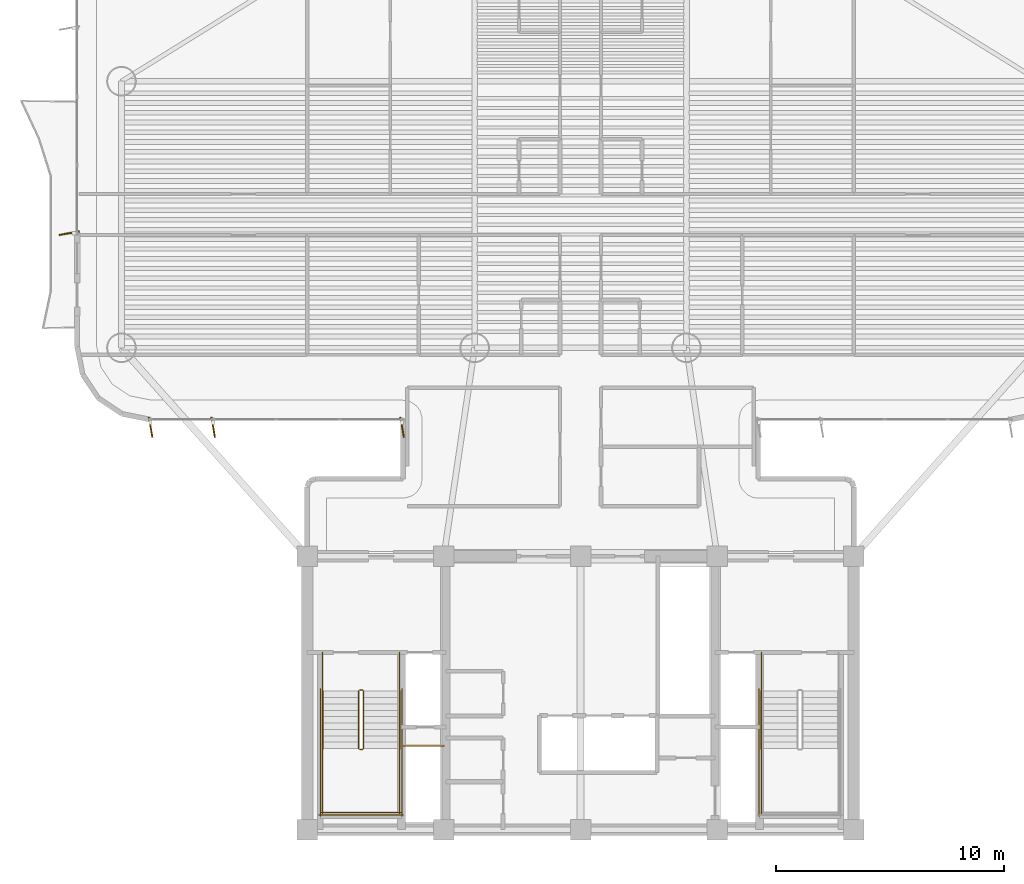
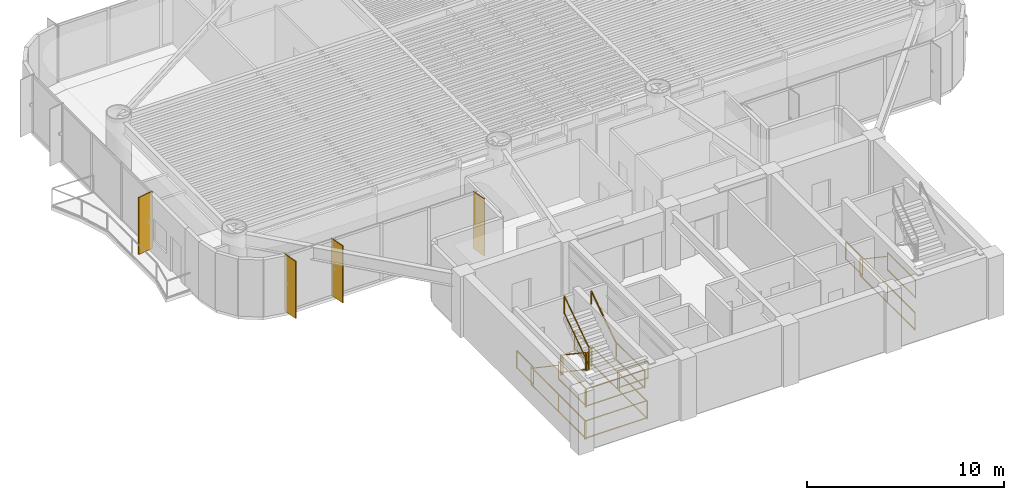
# One storey, part 14 of 17: 19 railings, 4 shading devices.
"""IFC4 building model written with IfcOpenShell, lengths in metres."""

from ifc_helpers import new_model, si_unit, direction, frame, origin, origin_2d, place, context, subcontext, project, spatial, rectangle, extrude, source, transform, mapped, material, layer, layer_set, material_profile, profile_set, type_object, element, save


model = new_model("IFC4")

# Units and contexts
model_context = context("Model", 3, precision=1e-05, world=origin(), true_north=direction((0.0, 1.0)))
body_context = subcontext(model_context, "Body", "Model", "MODEL_VIEW")
ifc_project = project(units=[si_unit("LENGTHUNIT", "METRE"), si_unit("AREAUNIT", "SQUARE_METRE"), si_unit("VOLUMEUNIT", "CUBIC_METRE"), si_unit("PLANEANGLEUNIT", "RADIAN"), si_unit("MASSUNIT", "GRAM", prefix="KILO")], contexts=[model_context])

# Site, building, storey
site_placement = place(None, origin())
site = spatial("IfcSite", under=ifc_project, at=site_placement, CompositionType="ELEMENT")
building_placement = place(site_placement, origin())
building = spatial("IfcBuilding", under=site, at=building_placement, Name="Brelvock Crest Care Tower", CompositionType="ELEMENT")
storey_placement = place(building_placement, frame((0.0, 0.0, 97.3798828125)))
storey = spatial("IfcBuildingStorey", under=building, at=storey_placement, Name="L24", CompositionType="ELEMENT", Elevation=97.3798828125)

# Railings
ifc_material_1 = material(Name="Steel Grade 350", Category="steel")
ifc_layer_1 = layer(ifc_material_1, 0.050048828125, Name="RL-STG1")
ifc_layer_set_1 = layer_set([ifc_layer_1], Name="Steel Grade 350")
railing_type_1 = type_object("IfcRailingType", Name="RL-STG1", PredefinedType="GUARDRAIL", material=ifc_layer_set_1)
railing_1_placement = place(storey_placement, frame((26.260009765625, 12.080078125, 0.189208984375)))
element("IfcRailing", 1, at=railing_1_placement, inside=storey, type_object=railing_type_1, Name="L24 ST-1 stair guard 1", PredefinedType="GUARDRAIL", context=body_context, shape_type="SweptSolid", body=[
    extrude(rectangle(XDim=0.048095703125, YDim=0.048095703125, at=origin_2d()), frame((0.0, -0.001708984375, 1.116943359375), z_axis=(0.0, -0.828861706735, 0.559453546873), x_axis=(1.0, 0.0, 0.0)), (0.0, 0.0, 1.0), 3.036376953125),
    extrude(rectangle(XDim=0.048095703125, YDim=0.048095703125, at=origin_2d()), frame((0.0, -0.001708984375, 0.05615234375), z_axis=(0.0, -0.828861706735, 0.559453546873), x_axis=(1.0, 0.0, 0.0)), (0.0, 0.0, 1.0), 3.036376953125),
    extrude(rectangle(XDim=0.0419921875, YDim=0.0419921875, at=origin_2d()), origin(), (0.0, 0.0, 1.0), 1.08984375),
    extrude(rectangle(XDim=0.0419921875, YDim=0.0419921875, at=origin_2d()), frame((0.0, -2.52001953125, 1.700927734375)), (0.0, 0.0, 1.0), 1.08984375),
])
railing_2_placement = place(storey_placement, frame((26.31005859375, 9.510009765625, 1.89013671875)))
element("IfcRailing", 2, at=railing_2_placement, inside=storey, type_object=railing_type_1, Name="L24 ST-1 stair guard 2", PredefinedType="GUARDRAIL", context=body_context, shape_type="SweptSolid", body=[
    extrude(rectangle(XDim=0.048095703125, YDim=0.048095703125, at=origin_2d()), frame((0.001953125, 0.0, 1.11572265625), z_axis=(1.0, 0.0, 0.0), x_axis=(0.0, 1.0, 0.0)), (0.0, 0.0, 1.0), 0.115966796875),
    extrude(rectangle(XDim=0.048095703125, YDim=0.048095703125, at=origin_2d()), frame((0.001953125, 0.0, 0.054931640625), z_axis=(1.0, 0.0, 0.0), x_axis=(0.0, 1.0, 0.0)), (0.0, 0.0, 1.0), 0.115966796875),
    extrude(rectangle(XDim=0.0419921875, YDim=0.0419921875, at=origin_2d()), origin(), (0.0, 0.0, 1.0), 1.08984375),
    extrude(rectangle(XDim=0.0419921875, YDim=0.0419921875, at=origin_2d()), frame((0.119873046875, 0.0, 0.0)), (0.0, 0.0, 1.0), 1.08984375),
])
for number, where, name in (
    (3, (24.679931640625, 9.56005859375, 1.89013671875), "L24 ST-1 stair guard 3"),
    (4, (28.06005859375, 9.56005859375, 1.89013671875), "L24 ST-1 stair guard 4"),
):
    element("IfcRailing", number, at=place(storey_placement, frame(where)), inside=storey, type_object=railing_type_1, Name=name, PredefinedType="GUARDRAIL", context=body_context, shape_type="SweptSolid", body=[
        extrude(rectangle(XDim=0.048095703125, YDim=0.048095703125, at=origin_2d()), frame((0.0, -0.001953125, 1.11572265625), z_axis=(0.0, -1.0, 0.0), x_axis=(1.0, 0.0, 0.0)), (0.0, 0.0, 1.0), 2.856201171875),
        extrude(rectangle(XDim=0.048095703125, YDim=0.048095703125, at=origin_2d()), frame((0.0, -0.001953125, 0.054931640625), z_axis=(0.0, -1.0, 0.0), x_axis=(1.0, 0.0, 0.0)), (0.0, 0.0, 1.0), 2.856201171875),
        extrude(rectangle(XDim=0.0419921875, YDim=0.0419921875, at=origin_2d()), origin(), (0.0, 0.0, 1.0), 1.08984375),
        extrude(rectangle(XDim=0.0419921875, YDim=0.0419921875, at=origin_2d()), frame((0.0, -2.860107421875, 0.0)), (0.0, 0.0, 1.0), 1.08984375),
    ])
railing_3_placement = place(storey_placement, frame((24.6298828125, 6.75, 1.89013671875)))
element("IfcRailing", 5, at=railing_3_placement, inside=storey, type_object=railing_type_1, Name="L24 ST-1 stair guard 5", PredefinedType="GUARDRAIL", context=body_context, shape_type="SweptSolid", body=[
    extrude(rectangle(XDim=0.048095703125, YDim=0.048095703125, at=origin_2d()), frame((0.001953125, 0.0, 1.11572265625), z_axis=(1.0, 0.0, 0.0), x_axis=(0.0, 1.0, 0.0)), (0.0, 0.0, 1.0), 3.476318359375),
    extrude(rectangle(XDim=0.048095703125, YDim=0.048095703125, at=origin_2d()), frame((0.001953125, 0.0, 0.054931640625), z_axis=(1.0, 0.0, 0.0), x_axis=(0.0, 1.0, 0.0)), (0.0, 0.0, 1.0), 3.476318359375),
    extrude(rectangle(XDim=0.0419921875, YDim=0.0419921875, at=origin_2d()), origin(), (0.0, 0.0, 1.0), 1.08984375),
    extrude(rectangle(XDim=0.0419921875, YDim=0.0419921875, at=origin_2d()), frame((3.480224609375, 0.0, 0.0)), (0.0, 0.0, 1.0), 1.08984375),
])
railing_4_placement = place(storey_placement, frame((26.47998046875, 9.56005859375, 2.0791015625)))
element("IfcRailing", 6, at=railing_4_placement, inside=storey, type_object=railing_type_1, Name="L24 ST-1 stair guard 6", PredefinedType="GUARDRAIL", context=body_context, shape_type="SweptSolid", body=[
    extrude(rectangle(XDim=0.048095703125, YDim=0.048095703125, at=origin_2d()), frame((0.0, 0.001708984375, 1.116943359375), z_axis=(0.0, 0.828861706735, 0.559453546873), x_axis=(-1.0, 0.0, 0.0)), (0.0, 0.0, 1.0), 3.036376953125),
    extrude(rectangle(XDim=0.048095703125, YDim=0.048095703125, at=origin_2d()), frame((0.0, 0.001708984375, 0.05615234375), z_axis=(0.0, 0.828861706735, 0.559453546873), x_axis=(-1.0, 0.0, 0.0)), (0.0, 0.0, 1.0), 3.036376953125),
    extrude(rectangle(XDim=0.0419921875, YDim=0.0419921875, at=origin_2d()), origin(), (0.0, 0.0, 1.0), 1.08984375),
    extrude(rectangle(XDim=0.0419921875, YDim=0.0419921875, at=origin_2d()), frame((0.0, 2.52001953125, 1.700927734375)), (0.0, 0.0, 1.0), 1.08984375),
])
railing_5_placement = place(storey_placement, frame((26.31005859375, 12.1298828125, 0.0)))
element("IfcRailing", 7, at=railing_5_placement, inside=storey, type_object=railing_type_1, Name="L24 ST-1 stair guard 7", PredefinedType="GUARDRAIL", context=body_context, shape_type="SweptSolid", body=[
    extrude(rectangle(XDim=0.048095703125, YDim=0.048095703125, at=origin_2d()), frame((0.001953125, 0.0, 1.11572265625), z_axis=(1.0, 0.0, 0.0), x_axis=(0.0, 1.0, 0.0)), (0.0, 0.0, 1.0), 0.115966796875),
    extrude(rectangle(XDim=0.048095703125, YDim=0.048095703125, at=origin_2d()), frame((0.001953125, 0.0, 0.054931640625), z_axis=(1.0, 0.0, 0.0), x_axis=(0.0, 1.0, 0.0)), (0.0, 0.0, 1.0), 0.115966796875),
    extrude(rectangle(XDim=0.0419921875, YDim=0.0419921875, at=origin_2d()), origin(), (0.0, 0.0, 1.0), 1.08984375),
    extrude(rectangle(XDim=0.0419921875, YDim=0.0419921875, at=origin_2d()), frame((0.119873046875, 0.0, 0.0)), (0.0, 0.0, 1.0), 1.08984375),
])
for number, where, name in (
    (8, (24.679931640625, 13.780029296875, 0.0), "L24 ST-1 stair guard 8"),
    (9, (28.06005859375, 13.780029296875, 0.0), "L24 ST-1 stair guard 9"),
):
    element("IfcRailing", number, at=place(storey_placement, frame(where)), inside=storey, type_object=railing_type_1, Name=name, PredefinedType="GUARDRAIL", context=body_context, shape_type="SweptSolid", body=[
        extrude(rectangle(XDim=0.048095703125, YDim=0.048095703125, at=origin_2d()), frame((0.0, -0.001953125, 1.11572265625), z_axis=(0.0, -1.0, 0.0), x_axis=(1.0, 0.0, 0.0)), (0.0, 0.0, 1.0), 1.696044921875),
        extrude(rectangle(XDim=0.048095703125, YDim=0.048095703125, at=origin_2d()), frame((0.0, -0.001953125, 0.054931640625), z_axis=(0.0, -1.0, 0.0), x_axis=(1.0, 0.0, 0.0)), (0.0, 0.0, 1.0), 1.696044921875),
        extrude(rectangle(XDim=0.0419921875, YDim=0.0419921875, at=origin_2d()), origin(), (0.0, 0.0, 1.0), 1.08984375),
        extrude(rectangle(XDim=0.0419921875, YDim=0.0419921875, at=origin_2d()), frame((0.0, -1.699951171875, 0.0)), (0.0, 0.0, 1.0), 1.08984375),
    ])
for number, where, name in (
    (10, (24.580078125, 12.179931640625, 0.0), "L24 ST-1 stair guard 10"),
    (11, (28.159912109375, 12.179931640625, 0.0), "L24 ST-1 stair guard 11"),
):
    element("IfcRailing", number, at=place(storey_placement, frame(where)), inside=storey, type_object=railing_type_1, Name=name, PredefinedType="GUARDRAIL", context=body_context, shape_type="SweptSolid", body=[
        extrude(rectangle(XDim=0.048095703125, YDim=0.048095703125, at=origin_2d()), frame((0.0, -0.001953125, 1.11572265625), z_axis=(0.0, -1.0, 0.0), x_axis=(1.0, 0.0, 0.0)), (0.0, 0.0, 1.0), 5.575927734375),
        extrude(rectangle(XDim=0.048095703125, YDim=0.048095703125, at=origin_2d()), frame((0.0, -0.001953125, 0.054931640625), z_axis=(0.0, -1.0, 0.0), x_axis=(1.0, 0.0, 0.0)), (0.0, 0.0, 1.0), 5.575927734375),
        extrude(rectangle(XDim=0.0419921875, YDim=0.0419921875, at=origin_2d()), origin(), (0.0, 0.0, 1.0), 1.08984375),
        extrude(rectangle(XDim=0.0419921875, YDim=0.0419921875, at=origin_2d()), frame((0.0, -2.7900390625, 0.0)), (0.0, 0.0, 1.0), 1.08984375),
        extrude(rectangle(XDim=0.0419921875, YDim=0.0419921875, at=origin_2d()), frame((0.0, -5.579833984375, 0.0)), (0.0, 0.0, 1.0), 1.08984375),
    ])
railing_6_placement = place(storey_placement, frame((24.530029296875, 6.64990234375, 0.0)))
element("IfcRailing", 12, at=railing_6_placement, inside=storey, type_object=railing_type_1, Name="L24 ST-1 stair guard 12", PredefinedType="GUARDRAIL", context=body_context, shape_type="SweptSolid", body=[
    extrude(rectangle(XDim=0.048095703125, YDim=0.048095703125, at=origin_2d()), frame((0.001953125, 0.0, 1.11572265625), z_axis=(1.0, 0.0, 0.0), x_axis=(0.0, 1.0, 0.0)), (0.0, 0.0, 1.0), 3.676025390625),
    extrude(rectangle(XDim=0.048095703125, YDim=0.048095703125, at=origin_2d()), frame((0.001953125, 0.0, 0.054931640625), z_axis=(1.0, 0.0, 0.0), x_axis=(0.0, 1.0, 0.0)), (0.0, 0.0, 1.0), 3.676025390625),
    extrude(rectangle(XDim=0.0419921875, YDim=0.0419921875, at=origin_2d()), origin(), (0.0, 0.0, 1.0), 1.08984375),
    extrude(rectangle(XDim=0.0419921875, YDim=0.0419921875, at=origin_2d()), frame((3.679931640625, 0.0, 0.0)), (0.0, 0.0, 1.0), 1.08984375),
])
railing_7_placement = place(storey_placement, frame((43.93994140625, 9.56005859375, 1.89013671875)))
element("IfcRailing", 13, at=railing_7_placement, inside=storey, type_object=railing_type_1, Name="L24 ST-2 stair guard 3", PredefinedType="GUARDRAIL", context=body_context, shape_type="SweptSolid", body=[
    extrude(rectangle(XDim=0.048095703125, YDim=0.048095703125, at=origin_2d()), frame((0.0, -0.001953125, 1.11572265625), z_axis=(0.0, -1.0, 0.0), x_axis=(1.0, 0.0, 0.0)), (0.0, 0.0, 1.0), 2.856201171875),
    extrude(rectangle(XDim=0.048095703125, YDim=0.048095703125, at=origin_2d()), frame((0.0, -0.001953125, 0.054931640625), z_axis=(0.0, -1.0, 0.0), x_axis=(1.0, 0.0, 0.0)), (0.0, 0.0, 1.0), 2.856201171875),
    extrude(rectangle(XDim=0.0419921875, YDim=0.0419921875, at=origin_2d()), origin(), (0.0, 0.0, 1.0), 1.08984375),
    extrude(rectangle(XDim=0.0419921875, YDim=0.0419921875, at=origin_2d()), frame((0.0, -2.860107421875, 0.0)), (0.0, 0.0, 1.0), 1.08984375),
])
railing_8_placement = place(storey_placement, frame((43.93994140625, 13.780029296875, 0.0)))
element("IfcRailing", 14, at=railing_8_placement, inside=storey, type_object=railing_type_1, Name="L24 ST-2 stair guard 8", PredefinedType="GUARDRAIL", context=body_context, shape_type="SweptSolid", body=[
    extrude(rectangle(XDim=0.048095703125, YDim=0.048095703125, at=origin_2d()), frame((0.0, -0.001953125, 1.11572265625), z_axis=(0.0, -1.0, 0.0), x_axis=(1.0, 0.0, 0.0)), (0.0, 0.0, 1.0), 1.696044921875),
    extrude(rectangle(XDim=0.048095703125, YDim=0.048095703125, at=origin_2d()), frame((0.0, -0.001953125, 0.054931640625), z_axis=(0.0, -1.0, 0.0), x_axis=(1.0, 0.0, 0.0)), (0.0, 0.0, 1.0), 1.696044921875),
    extrude(rectangle(XDim=0.0419921875, YDim=0.0419921875, at=origin_2d()), origin(), (0.0, 0.0, 1.0), 1.08984375),
    extrude(rectangle(XDim=0.0419921875, YDim=0.0419921875, at=origin_2d()), frame((0.0, -1.699951171875, 0.0)), (0.0, 0.0, 1.0), 1.08984375),
])
railing_9_placement = place(storey_placement, frame((43.840087890625, 12.179931640625, 0.0)))
element("IfcRailing", 15, at=railing_9_placement, inside=storey, type_object=railing_type_1, Name="L24 ST-2 stair guard 10", PredefinedType="GUARDRAIL", context=body_context, shape_type="SweptSolid", body=[
    extrude(rectangle(XDim=0.048095703125, YDim=0.048095703125, at=origin_2d()), frame((0.0, -0.001953125, 1.11572265625), z_axis=(0.0, -1.0, 0.0), x_axis=(1.0, 0.0, 0.0)), (0.0, 0.0, 1.0), 5.575927734375),
    extrude(rectangle(XDim=0.048095703125, YDim=0.048095703125, at=origin_2d()), frame((0.0, -0.001953125, 0.054931640625), z_axis=(0.0, -1.0, 0.0), x_axis=(1.0, 0.0, 0.0)), (0.0, 0.0, 1.0), 5.575927734375),
    extrude(rectangle(XDim=0.0419921875, YDim=0.0419921875, at=origin_2d()), origin(), (0.0, 0.0, 1.0), 1.08984375),
    extrude(rectangle(XDim=0.0419921875, YDim=0.0419921875, at=origin_2d()), frame((0.0, -2.7900390625, 0.0)), (0.0, 0.0, 1.0), 1.08984375),
    extrude(rectangle(XDim=0.0419921875, YDim=0.0419921875, at=origin_2d()), frame((0.0, -5.579833984375, 0.0)), (0.0, 0.0, 1.0), 1.08984375),
])
railing_10_placement = place(storey_placement, frame((28.219970703125, 9.679931640625, 0.0)))
element("IfcRailing", 16, at=railing_10_placement, inside=storey, type_object=railing_type_1, Name="L24 Fire Riser Threshold Guard", PredefinedType="GUARDRAIL", context=body_context, shape_type="SweptSolid", body=[
    extrude(rectangle(XDim=0.048095703125, YDim=0.048095703125, at=origin_2d()), frame((0.001953125, 0.0, 1.11572265625), z_axis=(1.0, 0.0, 0.0), x_axis=(0.0, 1.0, 0.0)), (0.0, 0.0, 1.0), 1.776123046875),
    extrude(rectangle(XDim=0.048095703125, YDim=0.048095703125, at=origin_2d()), frame((0.001953125, 0.0, 0.054931640625), z_axis=(1.0, 0.0, 0.0), x_axis=(0.0, 1.0, 0.0)), (0.0, 0.0, 1.0), 1.776123046875),
    extrude(rectangle(XDim=0.0419921875, YDim=0.0419921875, at=origin_2d()), origin(), (0.0, 0.0, 1.0), 1.08984375),
    extrude(rectangle(XDim=0.0419921875, YDim=0.0419921875, at=origin_2d()), frame((1.780029296875, 0.0, 0.0)), (0.0, 0.0, 1.0), 1.08984375),
])
ifc_layer_2 = layer(ifc_material_1, 0.048095703125, Name="RL-STH1")
ifc_layer_set_2 = layer_set([ifc_layer_2], Name="Steel Grade 350")
railing_type_2 = type_object("IfcRailingType", Name="RL-STH1", PredefinedType="HANDRAIL", material=ifc_layer_set_2)
railing_11_placement = place(storey_placement, frame((24.679931640625, 12.080078125, 0.189208984375)))
element("IfcRailing", 17, at=railing_11_placement, inside=storey, type_object=railing_type_2, Name="L24 ST-1 stair handrail 1", PredefinedType="HANDRAIL", context=body_context, shape_type="SweptSolid", body=[
    extrude(rectangle(XDim=0.048095703125, YDim=0.048095703125, at=origin_2d()), frame((0.0, -0.001708984375, 0.876953125), z_axis=(0.0, -0.828861706735, 0.559453546873), x_axis=(1.0, 0.0, 0.0)), (0.0, 0.0, 1.0), 3.036376953125),
    extrude(rectangle(XDim=0.0419921875, YDim=0.0419921875, at=origin_2d()), origin(), (0.0, 0.0, 1.0), 0.849853515625),
    extrude(rectangle(XDim=0.0419921875, YDim=0.0419921875, at=origin_2d()), frame((0.0, -2.52001953125, 1.700927734375)), (0.0, 0.0, 1.0), 0.849853515625),
])
railing_12_placement = place(storey_placement, frame((28.06005859375, 9.56005859375, 2.0791015625)))
element("IfcRailing", 18, at=railing_12_placement, inside=storey, type_object=railing_type_2, Name="L24 ST-1 stair handrail 2", PredefinedType="HANDRAIL", context=body_context, shape_type="SweptSolid", body=[
    extrude(rectangle(XDim=0.048095703125, YDim=0.048095703125, at=origin_2d()), frame((0.0, 0.001708984375, 0.876953125), z_axis=(0.0, 0.828861706735, 0.559453546873), x_axis=(-1.0, 0.0, 0.0)), (0.0, 0.0, 1.0), 3.036376953125),
    extrude(rectangle(XDim=0.0419921875, YDim=0.0419921875, at=origin_2d()), origin(), (0.0, 0.0, 1.0), 0.849853515625),
    extrude(rectangle(XDim=0.0419921875, YDim=0.0419921875, at=origin_2d()), frame((0.0, 2.52001953125, 1.700927734375)), (0.0, 0.0, 1.0), 0.849853515625),
])
railing_13_placement = place(storey_placement, frame((43.93994140625, 12.080078125, 0.189208984375)))
element("IfcRailing", 19, at=railing_13_placement, inside=storey, type_object=railing_type_2, Name="L24 ST-2 stair handrail 1", PredefinedType="HANDRAIL", context=body_context, shape_type="SweptSolid", body=[
    extrude(rectangle(XDim=0.048095703125, YDim=0.048095703125, at=origin_2d()), frame((0.0, -0.001708984375, 0.876953125), z_axis=(0.0, -0.828861706735, 0.559453546873), x_axis=(1.0, 0.0, 0.0)), (0.0, 0.0, 1.0), 3.036376953125),
    extrude(rectangle(XDim=0.0419921875, YDim=0.0419921875, at=origin_2d()), origin(), (0.0, 0.0, 1.0), 0.849853515625),
    extrude(rectangle(XDim=0.0419921875, YDim=0.0419921875, at=origin_2d()), frame((0.0, -2.52001953125, 1.700927734375)), (0.0, 0.0, 1.0), 0.849853515625),
])

# Shading devices
ifc_material_2 = material(Name="Aluminium 6063-T6", Category="aluminium")
ifc_material_profile = material_profile(ifc_material_2, rectangle(XDim=0.054931640625, YDim=0.89990234375, at=origin_2d()), Name="FIN55x900")
ifc_profile_set = profile_set([ifc_material_profile], Name="Aluminium 6063-T6")
shading_device_type = type_object("IfcShadingDeviceType", Name="SHD-FIN1", PredefinedType="USERDEFINED", material=ifc_profile_set)
shared_shape = source(origin(), body_context, "Body", "SweptSolid", [
    extrude(rectangle(XDim=0.054931640625, YDim=0.89990234375, at=origin_2d()), origin(), (0.0, 0.0, 1.0), 3.530029296875),
])
for number, where, z_axis, x_axis, name in (
    (20, (28.169921875, 23.659912109375, 0.0), (0.0, 0.0, 1.0), (-0.984807753012, -0.173648177667, 0.0), "L24 Vertical Sunshade Fin E12-01"),
    (21, (19.875, 23.659912109375, 0.0), (0.0, 0.0, 1.0), (-0.984807753012, -0.173648177667, 0.0), "L24 Vertical Sunshade Fin E12-04"),
    (22, (17.1298828125, 23.659912109375, 0.0), (0.0, 0.0, 1.0), (-0.984807753012, -0.173648177667, 0.0), "L24 Vertical Sunshade Fin E12-05"),
    (23, (13.56005859375, 32.179931640625, 0.0), (0.0, 0.0, 1.0), (-0.173648177667, 0.984807753012, 0.0), "L24 Vertical Sunshade Fin E17B-01"),
):
    element("IfcShadingDevice", number, at=place(storey_placement, frame(where, z_axis=z_axis, x_axis=x_axis)), inside=storey, type_object=shading_device_type, Name=name, ObjectType="FIN", PredefinedType="USERDEFINED", context=body_context, shape_type="MappedRepresentation", body=[
        mapped(shared_shape, transform((0.0, 0.0, 0.0), x_axis=(1.0, 0.0, 0.0), y_axis=(0.0, 1.0, 0.0), z_axis=(0.0, 0.0, 1.0), scale=1.0)),
    ])

save(model, "model.ifc")
